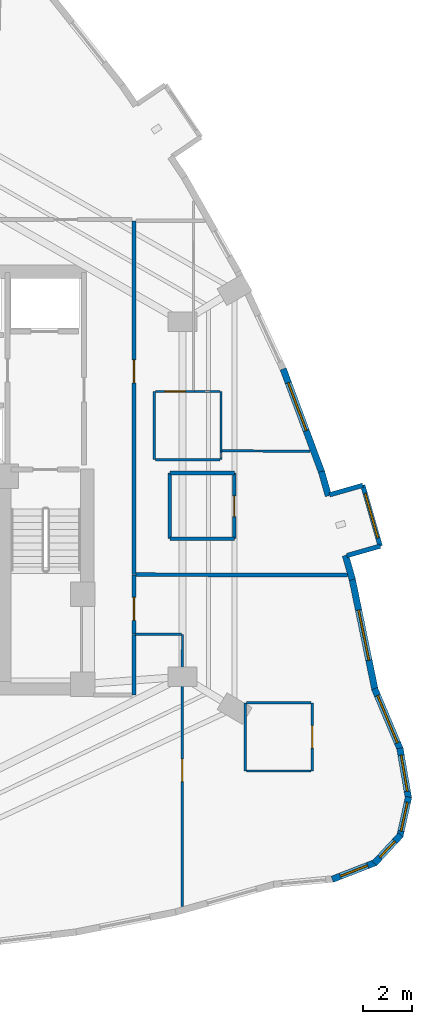
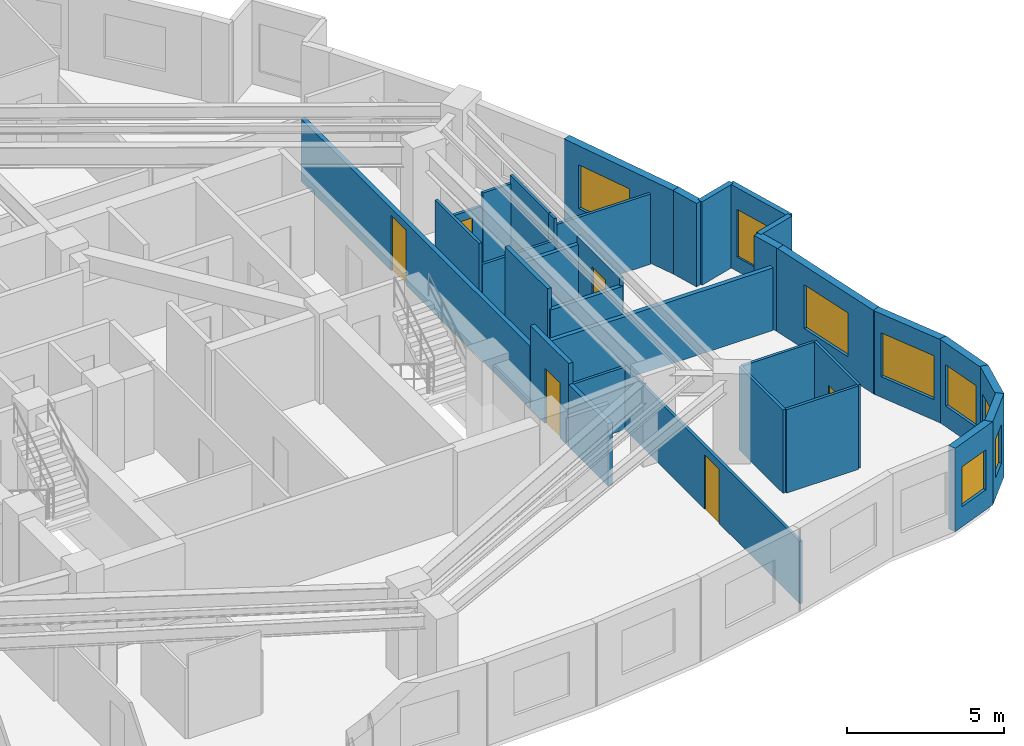
# One storey, part 7 of 10: 33 walls, 8 windows, 6 doors, 14 openings.
"""IFC4 building model written with IfcOpenShell, lengths in metres."""

import ifcopenshell
import ifcopenshell.guid

model = None  # the IFC model being written
_history = None  # IfcOwnerHistory: only IFC2X3 demands one
_inside = {}  # id of a spatial element -> (the spatial element, [elements in it])
_under = {}  # id of a project, library or spatial element -> (it, [spatial elements below it])
_declared = {}  # id of a project -> (the project, [libraries it declares])
_typed = {}  # id of a type object -> (the type object, [elements of that type])
_made_of = {}  # id of a material, layer set ... -> (it, [elements and type objects made of it])


def new_model(schema):
    """Start an empty IFC model of exactly this schema.

    Asked for "IFC4X3", IfcOpenShell would pick the latest addendum, in which some entities
    have other attributes; the version numbers below select the first issue.
    IFC2X3 requires an IfcOwnerHistory on every rooted entity: one is made here for all.
    """
    global model, _history
    if schema == "IFC4X3":
        model = ifcopenshell.file(schema_version=(4, 3, 0, 0))
    else:
        model = ifcopenshell.file(schema=schema)
    _inside.clear()
    _under.clear()
    _declared.clear()
    _typed.clear()
    _made_of.clear()
    _history = None
    if model.schema == "IFC2X3":
        org = make("IfcOrganization", Name="unknown")
        user = make(
            "IfcPersonAndOrganization",
            ThePerson=make("IfcPerson", FamilyName="unknown"),
            TheOrganization=org,
        )
        app = make(
            "IfcApplication",
            ApplicationDeveloper=org,
            Version="unknown",
            ApplicationFullName="unknown",
            ApplicationIdentifier="unknown",
        )
        _history = make(
            "IfcOwnerHistory",
            OwningUser=user,
            OwningApplication=app,
            ChangeAction="ADDED",
            CreationDate=0,
        )
    return model


def make(cls, **values):
    """One entity of the class cls with the attributes given. An attribute that is None is left unset."""
    return model.create_entity(
        cls, **{name: value for name, value in values.items() if value is not None}
    )


def rooted(cls, **values):
    """An entity with a GlobalId (a new one), such as an element, a storey or a relation."""
    return make(cls, GlobalId=ifcopenshell.guid.new(), OwnerHistory=_history, **values)


def si_unit(unit_type, name, prefix=None):
    """IfcSIUnit, for example si_unit("LENGTHUNIT", "METRE", prefix="MILLI")."""
    return make("IfcSIUnit", UnitType=unit_type, Prefix=prefix, Name=name)


def assignment(units):
    """IfcUnitAssignment: the units of a project."""
    return None if units is None else make("IfcUnitAssignment", Units=units)


def point(xyz):
    """IfcCartesianPoint."""
    return None if xyz is None else make("IfcCartesianPoint", Coordinates=xyz)


def direction(xyz):
    """IfcDirection."""
    return None if xyz is None else make("IfcDirection", DirectionRatios=xyz)


def frame(location, z_axis=None, x_axis=None):
    """IfcAxis2Placement3D, a coordinate frame: its origin and axes. An axis left out is left unset."""
    return make(
        "IfcAxis2Placement3D",
        Location=point(location),
        Axis=direction(z_axis),
        RefDirection=direction(x_axis),
    )


def frame_2d(location, x_axis=None):
    """IfcAxis2Placement2D, a coordinate frame in the plane: its origin and x axis."""
    return make(
        "IfcAxis2Placement2D", Location=point(location), RefDirection=direction(x_axis)
    )


def origin():
    """The frame at (0, 0, 0) with its axes left unset."""
    return frame((0.0, 0.0, 0.0))


def place(relative_to, where):
    """IfcLocalPlacement: puts the frame where relative to a parent placement (None: the world)."""
    return make(
        "IfcLocalPlacement", PlacementRelTo=relative_to, RelativePlacement=where
    )


def context(
    kind, dimensions, precision=None, world=None, true_north=None, identifier=None
):
    """IfcGeometricRepresentationContext, for example the 3D "Model" context."""
    return make(
        "IfcGeometricRepresentationContext",
        ContextIdentifier=identifier,
        ContextType=kind,
        CoordinateSpaceDimension=dimensions,
        Precision=precision,
        WorldCoordinateSystem=world,
        TrueNorth=true_north,
    )


def subcontext(parent, identifier, kind, view, scale=None):
    """IfcGeometricRepresentationSubContext, for example "Body" below "Model"."""
    return make(
        "IfcGeometricRepresentationSubContext",
        ContextIdentifier=identifier,
        ContextType=kind,
        ParentContext=parent,
        TargetScale=scale,
        TargetView=view,
    )


def project(units=None, contexts=None):
    """IfcProject with its units and contexts."""
    return rooted(
        "IfcProject",
        Name="project",
        RepresentationContexts=contexts,
        UnitsInContext=assignment(units),
    )


def spatial(cls, under=None, at=None, **own):
    """A site, building, storey or space (cls), placed at a placement, below another one or the project."""
    s = rooted(cls, ObjectPlacement=at, **own)
    if under is not None:
        _under.setdefault(under.id(), (under, []))[1].append(s)
    return s


def profile(cls, at=None, kind="AREA", **sizes):
    """A parametric profile (cls). Its sizes go by their IFC names, for example OverallWidth=200.0."""
    return make(cls, ProfileType=kind, Position=at, **sizes)


def rectangle(**sizes):
    """IfcRectangleProfileDef."""
    return profile("IfcRectangleProfileDef", **sizes)


def extrude(swept, where, along, depth):
    """IfcExtrudedAreaSolid: the profile swept, set in the frame where, extruded along a direction by depth."""
    return make(
        "IfcExtrudedAreaSolid",
        SweptArea=swept,
        Position=where,
        ExtrudedDirection=direction(along),
        Depth=depth,
    )


def shape(context_of_items, identifier, shape_type, items):
    """IfcShapeRepresentation: the items that make up one representation, for example the "Body"."""
    return make(
        "IfcShapeRepresentation",
        ContextOfItems=context_of_items,
        RepresentationIdentifier=identifier,
        RepresentationType=shape_type,
        Items=items,
    )


def material(Name=None, Category=None):
    """IfcMaterial."""
    return make("IfcMaterial", Name=Name, Category=Category)


def layer(
    of_material, thickness, ventilated=None, Name=None, Category=None, Priority=None
):
    """IfcMaterialLayer: one layer of a wall or slab, of a material (None: an air gap)."""
    return make(
        "IfcMaterialLayer",
        Material=of_material,
        LayerThickness=thickness,
        IsVentilated=ventilated,
        Name=Name,
        Category=Category,
        Priority=Priority,
    )


def layer_set(layers, Name=None):
    """IfcMaterialLayerSet."""
    return make("IfcMaterialLayerSet", MaterialLayers=layers, LayerSetName=Name)


def made_of(thing, what):
    """Note that an element or type object is made of a material, layer set ...; save() writes the relation."""
    if what is not None:
        _made_of.setdefault(what.id(), (what, []))[1].append(thing)
    return thing


def type_object(cls, material=None, **own):
    """A type object (cls), such as IfcWallType, which elements share."""
    return made_of(rooted(cls, **own), material)


def element(
    cls,
    number,
    at=None,
    inside=None,
    cuts=None,
    type_object=None,
    material=None,
    context=None,
    identifier="Body",
    shape_type=None,
    held_by="IfcProductDefinitionShape",
    body=None,
    shapes=None,
    **own,
):
    """One element of the class cls, such as IfcWall. Its Tag is "e" and its number.

    at: its placement. inside: the storey or other place that contains it. cuts: it is an
    opening in that element (IfcRelVoidsElement). A single representation is given by context,
    identifier, shape_type and body (its items); several are given by shapes. held_by: the class
    of the entity that holds the representations. save() writes the other relations.
    """
    e = rooted(cls, Tag="e%d" % number, ObjectPlacement=at, **own)
    if body is not None:
        shapes = [shape(context, identifier, shape_type, body)]
    if shapes is not None:
        e.Representation = make(held_by, Representations=shapes)
    if inside is not None:
        _inside.setdefault(inside.id(), (inside, []))[1].append(e)
    if cuts is not None:
        rooted(
            "IfcRelVoidsElement", RelatingBuildingElement=cuts, RelatedOpeningElement=e
        )
    if type_object is not None:
        _typed.setdefault(type_object.id(), (type_object, []))[1].append(e)
    return made_of(e, material)


def fill(opening, filler):
    """IfcRelFillsElement: the door or window that sits in an opening."""
    return rooted(
        "IfcRelFillsElement",
        RelatingOpeningElement=opening,
        RelatedBuildingElement=filler,
    )


def aggregate(whole, parts):
    """IfcRelAggregates: a whole, such as a stair, and the parts it consists of."""
    return rooted("IfcRelAggregates", RelatingObject=whole, RelatedObjects=parts)


def save(model, path):
    """Write the relations noted so far, then the file.

    IfcRelAggregates (storeys below a building ...), IfcRelContainedInSpatialStructure (elements
    in a storey), IfcRelDefinesByType, IfcRelAssociatesMaterial and IfcRelDeclares: one each for
    every whole, place, type object, material and project.
    """
    for whole, parts in _under.values():
        aggregate(whole, parts)
    for where, things in _inside.values():
        rooted(
            "IfcRelContainedInSpatialStructure",
            RelatedElements=things,
            RelatingStructure=where,
        )
    for kind, things in _typed.values():
        rooted("IfcRelDefinesByType", RelatedObjects=things, RelatingType=kind)
    for what, things in _made_of.values():
        rooted("IfcRelAssociatesMaterial", RelatedObjects=things, RelatingMaterial=what)
    for by, libraries in _declared.values():
        rooted("IfcRelDeclares", RelatingContext=by, RelatedDefinitions=libraries)
    model.write(path)


model = new_model("IFC4")

# Units and contexts
model_context = context("Model", 3, precision=1e-05, world=origin(), true_north=direction((0.0, 1.0)))
body_context = subcontext(model_context, "Body", "Model", "MODEL_VIEW")
ifc_project = project(units=[si_unit("LENGTHUNIT", "METRE"), si_unit("AREAUNIT", "SQUARE_METRE"), si_unit("VOLUMEUNIT", "CUBIC_METRE"), si_unit("PLANEANGLEUNIT", "RADIAN"), si_unit("MASSUNIT", "GRAM", prefix="KILO")], contexts=[model_context])

# Site, building, storey
site_placement = place(None, origin())
site = spatial("IfcSite", under=ifc_project, at=site_placement, CompositionType="ELEMENT")
building_placement = place(site_placement, origin())
building = spatial("IfcBuilding", under=site, at=building_placement, Name="Miruveldt Soraemaru", CompositionType="ELEMENT")
storey_placement = place(building_placement, frame((0.0, 0.0, 121.39990234375)))
storey = spatial("IfcBuildingStorey", under=building, at=storey_placement, Name="L33", CompositionType="ELEMENT", Elevation=121.39990234375)

# Walls
ifc_material_1 = material(Name="White powder-coated aluminium EN AW-6060 T6", Category="aluminium")
ifc_layer_1 = layer(ifc_material_1, 0.18994140625, Name="White powder-coated aluminium EN AW-6060 T6", Category="aluminium")
ifc_layer_set_1 = layer_set([ifc_layer_1], Name="White powder-coated aluminium EN AW-6060 T6")
wall_type_1 = type_object("IfcWallType", Name="WALL-BAY-ALU190", PredefinedType="SOLIDWALL", material=ifc_layer_set_1)
for number, where, z_axis, x_axis, name in (
    (1, (63.357421875, 40.7822265625, 0.0), (0.0, 0.0, 1.0), (0.961394527133, 0.275173696414, 0.0), "L33 Bay Window Side Cheek 3L"),
    (2, (64.01220703125, 43.673828125, 0.0), (0.0, 0.0, 1.0), (-0.961439844578, -0.275015318223, 0.0), "L33 Bay Window Side Cheek 3R"),
):
    element("IfcWall", number, at=place(storey_placement, frame(where, z_axis=z_axis, x_axis=x_axis)), inside=storey, type_object=wall_type_1, Name=name, PredefinedType="SOLIDWALL", context=body_context, shape_type="SweptSolid", body=[
        extrude(rectangle(XDim=1.4248046875, YDim=0.18994140625, at=frame_2d((0.71240234375, 0.0))), origin(), (0.0, 0.0, 1.0), 3.235107421875),
    ])

# Wall, opening, window
wall_1_placement = place(storey_placement, frame((64.727294921875, 41.17431640625, 0.0), z_axis=(0.0, 0.0, 1.0), x_axis=(-0.275055990048, 0.961428209665, 0.0)))
wall_1 = element("IfcWall", 3, at=wall_1_placement, inside=storey, type_object=wall_type_1, Name="L33 Bay Window Front Frame 3", PredefinedType="SOLIDWALL", context=body_context, shape_type="SweptSolid", body=[
    extrude(rectangle(XDim=2.599853515625, YDim=0.18994140625, at=frame_2d((1.2998046875, 0.0))), origin(), (0.0, 0.0, 1.0), 3.235107421875),
])
opening_1_placement = place(wall_1_placement, frame((0.35009765625, 0.0, 0.550048828125)))
opening_1 = element("IfcOpeningElement", 4, at=opening_1_placement, cuts=wall_1, Name="Opening WN-6", PredefinedType="OPENING", context=body_context, shape_type="SweptSolid", body=[
    extrude(rectangle(XDim=1.89990234375, YDim=1.85009765625, at=frame_2d((0.949951171875, 0.925048828125))), frame((0.0, 0.10498046875, 0.0), z_axis=(0.0, -1.0, 0.0), x_axis=(1.0, 0.0, 0.0)), (0.0, 0.0, 1.0), 0.2099609375),
])
ifc_material_2 = material(Name="Triple low-e insulated glazing", Category="glass")
window_type_1 = type_object("IfcWindowType", Name="WIN-BAYW-1900x1850", PartitioningType="SINGLE_PANEL", PredefinedType="WINDOW", material=ifc_material_2)
window_1_placement = place(opening_1_placement, origin())
window_1 = element("IfcWindow", 5, at=window_1_placement, inside=storey, type_object=window_type_1, Name="L33 Projecting Bay Window 3", OverallHeight=1.85009765625, OverallWidth=1.89990234375, PartitioningType="SINGLE_PANEL", PredefinedType="WINDOW", context=body_context, shape_type="SweptSolid", body=[
    extrude(rectangle(XDim=1.89990234375, YDim=1.85009765625, at=frame_2d((0.949951171875, 0.925048828125))), frame((0.0, 0.030029296875, 0.0), z_axis=(0.0, -1.0, 0.0), x_axis=(1.0, 0.0, 0.0)), (0.0, 0.0, 1.0), 0.06005859375),
])
fill(opening_1, window_1)

ifc_material_3 = material(Name="Precast concrete C45/55 (45 MPa)", Category="concrete")
ifc_layer_2 = layer(ifc_material_3, 0.27001953125, Name="Precast concrete C45/55 (45 MPa)", Category="concrete")
ifc_layer_set_2 = layer_set([ifc_layer_2], Name="Precast concrete C45/55 (45 MPa)")
wall_type_2 = type_object("IfcWallType", Name="WALL-EXT-PC270", PredefinedType="SOLIDWALL", material=ifc_layer_set_2)
wall_2_placement = place(storey_placement, frame((62.754150390625, 27.4765625, 0.0), z_axis=(0.0, 0.0, 1.0), x_axis=(0.932274534564, 0.361751561438, 0.0)))
wall_2 = element("IfcWall", 6, at=wall_2_placement, inside=storey, type_object=wall_type_2, Name="L33 Precast Concrete Facade Wall 30", PredefinedType="SOLIDWALL", context=body_context, shape_type="SweptSolid", body=[
    extrude(rectangle(XDim=1.916748046875, YDim=0.27001953125, at=frame_2d((0.95849609375, 0.0))), origin(), (0.0, 0.0, 1.0), 3.235107421875),
])
opening_2_placement = place(wall_2_placement, frame((0.35888671875, 0.0, 0.780029296875)))
opening_2 = element("IfcOpeningElement", 7, at=opening_2_placement, cuts=wall_2, Name="Opening WN-4", PredefinedType="OPENING", context=body_context, shape_type="SweptSolid", body=[
    extrude(rectangle(XDim=1.199951171875, YDim=1.550048828125, at=frame_2d((0.60009765625, 0.77490234375))), frame((0.0, 0.14501953125, 0.0), z_axis=(0.0, -1.0, 0.0), x_axis=(1.0, 0.0, 0.0)), (0.0, 0.0, 1.0), 0.2900390625),
])
window_type_2 = type_object("IfcWindowType", Name="WIN-PUNCH-1200x1550", PartitioningType="SINGLE_PANEL", PredefinedType="WINDOW", material=ifc_material_2)
window_2_placement = place(opening_2_placement, origin())
window_2 = element("IfcWindow", 8, at=window_2_placement, inside=storey, type_object=window_type_2, Name="L33 Punched Triple-Glazed Window 30.1", OverallHeight=1.550048828125, OverallWidth=1.199951171875, PartitioningType="SINGLE_PANEL", PredefinedType="WINDOW", context=body_context, shape_type="SweptSolid", body=[
    extrude(rectangle(XDim=1.199951171875, YDim=1.550048828125, at=frame_2d((0.60009765625, 0.77490234375))), frame((0.0, 0.030029296875, 0.0), z_axis=(0.0, -1.0, 0.0), x_axis=(1.0, 0.0, 0.0)), (0.0, 0.0, 1.0), 0.06005859375),
])
fill(opening_2, window_2)

wall_3_placement = place(storey_placement, frame((64.484619140625, 28.131591796875, 0.0), z_axis=(0.0, 0.0, 1.0), x_axis=(0.680103285959, 0.733116307572, 0.0)))
wall_3 = element("IfcWall", 9, at=wall_3_placement, inside=storey, type_object=wall_type_2, Name="L33 Precast Concrete Facade Wall 31", PredefinedType="SOLIDWALL", context=body_context, shape_type="SweptSolid", body=[
    extrude(rectangle(XDim=1.5888671875, YDim=0.27001953125, at=frame_2d((0.79443359375, 0.0))), origin(), (0.0, 0.0, 1.0), 3.235107421875),
])
opening_3_placement = place(wall_3_placement, frame((0.343994140625, 0.0, 0.780029296875)))
opening_3 = element("IfcOpeningElement", 10, at=opening_3_placement, cuts=wall_3, Name="Opening WN-7", PredefinedType="OPENING", context=body_context, shape_type="SweptSolid", body=[
    extrude(rectangle(XDim=0.89990234375, YDim=1.5, at=frame_2d((0.449951171875, 0.75))), frame((0.0, 0.14501953125, 0.0), z_axis=(0.0, -1.0, 0.0), x_axis=(1.0, 0.0, 0.0)), (0.0, 0.0, 1.0), 0.2900390625),
])
window_type_3 = type_object("IfcWindowType", Name="WIN-PUNCH-900x1500", PartitioningType="SINGLE_PANEL", PredefinedType="WINDOW", material=ifc_material_2)
window_3_placement = place(opening_3_placement, origin())
window_3 = element("IfcWindow", 11, at=window_3_placement, inside=storey, type_object=window_type_3, Name="L33 Punched Triple-Glazed Window 31.1", OverallHeight=1.5, OverallWidth=0.89990234375, PartitioningType="SINGLE_PANEL", PredefinedType="WINDOW", context=body_context, shape_type="SweptSolid", body=[
    extrude(rectangle(XDim=0.89990234375, YDim=1.5, at=frame_2d((0.449951171875, 0.75))), frame((0.0, 0.030029296875, 0.0), z_axis=(0.0, -1.0, 0.0), x_axis=(1.0, 0.0, 0.0)), (0.0, 0.0, 1.0), 0.06005859375),
])
fill(opening_3, window_3)

wall_4_placement = place(storey_placement, frame((65.533935546875, 29.236328125, 0.0), z_axis=(0.0, 0.0, 1.0), x_axis=(0.215658248495, 0.976468903681, 0.0)))
wall_4 = element("IfcWall", 12, at=wall_4_placement, inside=storey, type_object=wall_type_2, Name="L33 Precast Concrete Facade Wall 32", PredefinedType="SOLIDWALL", context=body_context, shape_type="SweptSolid", body=[
    extrude(rectangle(XDim=1.66650390625, YDim=0.27001953125, at=frame_2d((0.833251953125, 0.0))), origin(), (0.0, 0.0, 1.0), 3.235107421875),
])
opening_4_placement = place(wall_4_placement, frame((0.23291015625, 0.0, 0.780029296875)))
opening_4 = element("IfcOpeningElement", 13, at=opening_4_placement, cuts=wall_4, Name="Opening WN-4", PredefinedType="OPENING", context=body_context, shape_type="SweptSolid", body=[
    extrude(rectangle(XDim=1.199951171875, YDim=1.550048828125, at=frame_2d((0.60009765625, 0.77490234375))), frame((0.0, 0.14501953125, 0.0), z_axis=(0.0, -1.0, 0.0), x_axis=(1.0, 0.0, 0.0)), (0.0, 0.0, 1.0), 0.2900390625),
])
window_4_placement = place(opening_4_placement, origin())
window_4 = element("IfcWindow", 14, at=window_4_placement, inside=storey, type_object=window_type_2, Name="L33 Punched Triple-Glazed Window 32.1", OverallHeight=1.550048828125, OverallWidth=1.199951171875, PartitioningType="SINGLE_PANEL", PredefinedType="WINDOW", context=body_context, shape_type="SweptSolid", body=[
    extrude(rectangle(XDim=1.199951171875, YDim=1.550048828125, at=frame_2d((0.60009765625, 0.77490234375))), frame((0.0, 0.030029296875, 0.0), z_axis=(0.0, -1.0, 0.0), x_axis=(1.0, 0.0, 0.0)), (0.0, 0.0, 1.0), 0.06005859375),
])
fill(opening_4, window_4)

wall_5_placement = place(storey_placement, frame((65.8916015625, 30.794921875, 0.0), z_axis=(0.0, 0.0, 1.0), x_axis=(-0.169234430957, 0.985575825281, 0.0)))
wall_5 = element("IfcWall", 15, at=wall_5_placement, inside=storey, type_object=wall_type_2, Name="L33 Precast Concrete Facade Wall 33", PredefinedType="SOLIDWALL", context=body_context, shape_type="SweptSolid", body=[
    extrude(rectangle(XDim=2.103271484375, YDim=0.27001953125, at=frame_2d((1.0517578125, 0.0))), origin(), (0.0, 0.0, 1.0), 3.235107421875),
])
opening_5_placement = place(wall_5_placement, frame((0.302001953125, 0.0, 0.800048828125)))
opening_5 = element("IfcOpeningElement", 16, at=opening_5_placement, cuts=wall_5, Name="Opening WN-3", PredefinedType="OPENING", context=body_context, shape_type="SweptSolid", body=[
    extrude(rectangle(XDim=1.5, YDim=1.60009765625, at=frame_2d((0.75, 0.800048828125))), frame((0.0, 0.14501953125, 0.0), z_axis=(0.0, -1.0, 0.0), x_axis=(1.0, 0.0, 0.0)), (0.0, 0.0, 1.0), 0.2900390625),
])
window_type_4 = type_object("IfcWindowType", Name="WIN-PUNCH-1500x1600", PartitioningType="SINGLE_PANEL", PredefinedType="WINDOW", material=ifc_material_2)
window_5_placement = place(opening_5_placement, origin())
window_5 = element("IfcWindow", 17, at=window_5_placement, inside=storey, type_object=window_type_4, Name="L33 Punched Triple-Glazed Window 33.1", OverallHeight=1.60009765625, OverallWidth=1.5, PartitioningType="SINGLE_PANEL", PredefinedType="WINDOW", context=body_context, shape_type="SweptSolid", body=[
    extrude(rectangle(XDim=1.5, YDim=1.60009765625, at=frame_2d((0.75, 0.800048828125))), frame((0.0, 0.030029296875, 0.0), z_axis=(0.0, -1.0, 0.0), x_axis=(1.0, 0.0, 0.0)), (0.0, 0.0, 1.0), 0.06005859375),
])
fill(opening_5, window_5)

wall_6_placement = place(storey_placement, frame((65.55517578125, 32.801025390625, 0.0), z_axis=(0.0, 0.0, 1.0), x_axis=(-0.388620980752, 0.921397706378, 0.0)))
wall_6 = element("IfcWall", 18, at=wall_6_placement, inside=storey, type_object=wall_type_2, Name="L33 Precast Concrete Facade Wall 34", PredefinedType="SOLIDWALL", context=body_context, shape_type="SweptSolid", body=[
    extrude(rectangle(XDim=2.728271484375, YDim=0.27001953125, at=frame_2d((1.3642578125, 0.0))), origin(), (0.0, 0.0, 1.0), 3.235107421875),
])
opening_6_placement = place(wall_6_placement, frame((0.31396484375, 0.0, 0.800048828125)))
opening_6 = element("IfcOpeningElement", 19, at=opening_6_placement, cuts=wall_6, Name="Opening WN-1", PredefinedType="OPENING", context=body_context, shape_type="SweptSolid", body=[
    extrude(rectangle(XDim=2.10009765625, YDim=1.699951171875, at=frame_2d((1.050048828125, 0.85009765625))), frame((0.0, 0.14501953125, 0.0), z_axis=(0.0, -1.0, 0.0), x_axis=(1.0, 0.0, 0.0)), (0.0, 0.0, 1.0), 0.2900390625),
])
window_type_5 = type_object("IfcWindowType", Name="WIN-PUNCH-2100x1700", PartitioningType="SINGLE_PANEL", PredefinedType="WINDOW", material=ifc_material_2)
window_6_placement = place(opening_6_placement, origin())
window_6 = element("IfcWindow", 20, at=window_6_placement, inside=storey, type_object=window_type_5, Name="L33 Punched Triple-Glazed Window 34.1", OverallHeight=1.699951171875, OverallWidth=2.10009765625, PartitioningType="SINGLE_PANEL", PredefinedType="WINDOW", context=body_context, shape_type="SweptSolid", body=[
    extrude(rectangle(XDim=2.10009765625, YDim=1.699951171875, at=frame_2d((1.050048828125, 0.85009765625))), frame((0.0, 0.030029296875, 0.0), z_axis=(0.0, -1.0, 0.0), x_axis=(1.0, 0.0, 0.0)), (0.0, 0.0, 1.0), 0.06005859375),
])
fill(opening_6, window_6)

wall_7_placement = place(storey_placement, frame((64.515380859375, 35.248291015625, 0.0), z_axis=(0.0, 0.0, 1.0), x_axis=(-0.201556379957, 0.979476914327, 0.0)))
wall_7 = element("IfcWall", 21, at=wall_7_placement, inside=storey, type_object=wall_type_2, Name="L33 Precast Concrete Facade Wall 35", PredefinedType="SOLIDWALL", context=body_context, shape_type="SweptSolid", body=[
    extrude(rectangle(XDim=4.70947265625, YDim=0.27001953125, at=frame_2d((2.354736328125, 0.0))), origin(), (0.0, 0.0, 1.0), 3.235107421875),
])
opening_7_placement = place(wall_7_placement, frame((1.262939453125, 0.0, 0.800048828125)))
opening_7 = element("IfcOpeningElement", 22, at=opening_7_placement, cuts=wall_7, Name="Opening WN-1", PredefinedType="OPENING", context=body_context, shape_type="SweptSolid", body=[
    extrude(rectangle(XDim=2.10009765625, YDim=1.699951171875, at=frame_2d((1.050048828125, 0.85009765625))), frame((0.0, 0.14501953125, 0.0), z_axis=(0.0, -1.0, 0.0), x_axis=(1.0, 0.0, 0.0)), (0.0, 0.0, 1.0), 0.2900390625),
])
window_7_placement = place(opening_7_placement, origin())
window_7 = element("IfcWindow", 23, at=window_7_placement, inside=storey, type_object=window_type_5, Name="L33 Punched Triple-Glazed Window 35.1", OverallHeight=1.699951171875, OverallWidth=2.10009765625, PartitioningType="SINGLE_PANEL", PredefinedType="WINDOW", context=body_context, shape_type="SweptSolid", body=[
    extrude(rectangle(XDim=2.10009765625, YDim=1.699951171875, at=frame_2d((1.050048828125, 0.85009765625))), frame((0.0, 0.030029296875, 0.0), z_axis=(0.0, -1.0, 0.0), x_axis=(1.0, 0.0, 0.0)), (0.0, 0.0, 1.0), 0.06005859375),
])
fill(opening_7, window_7)

# Walls
wall_8_placement = place(storey_placement, frame((63.5830078125, 39.793212890625, 0.0), z_axis=(0.0, 0.0, 1.0), x_axis=(-0.275061210483, 0.96142671613, 0.0)))
element("IfcWall", 24, at=wall_8_placement, inside=storey, type_object=wall_type_2, Name="L33 Precast Pier Wall 36A", PredefinedType="SOLIDWALL", context=body_context, shape_type="SweptSolid", body=[
    extrude(rectangle(XDim=1.04296875, YDim=0.27001953125, at=frame_2d((0.521484375, 0.0))), origin(), (0.0, 0.0, 1.0), 3.235107421875),
])
wall_9_placement = place(storey_placement, frame((62.59765625, 43.238037109375, 0.0), z_axis=(0.0, 0.0, 1.0), x_axis=(-0.274999317233, 0.961444421442, 0.0)))
element("IfcWall", 25, at=wall_9_placement, inside=storey, type_object=wall_type_2, Name="L33 Precast Pier Wall 36B", PredefinedType="SOLIDWALL", context=body_context, shape_type="SweptSolid", body=[
    extrude(rectangle(XDim=1.043212890625, YDim=0.27001953125, at=frame_2d((0.521484375, 0.0))), origin(), (0.0, 0.0, 1.0), 3.235107421875),
])

# Wall, opening, window
wall_10_placement = place(storey_placement, frame((62.332763671875, 44.174560546875, 0.0), z_axis=(0.0, 0.0, 1.0), x_axis=(-0.349038189094, 0.937108500951, 0.0)))
wall_10 = element("IfcWall", 26, at=wall_10_placement, inside=storey, type_object=wall_type_2, Name="L33 Precast Concrete Facade Wall 37", PredefinedType="SOLIDWALL", context=body_context, shape_type="SweptSolid", body=[
    extrude(rectangle(XDim=4.569580078125, YDim=0.27001953125, at=frame_2d((2.28466796875, 0.0))), origin(), (0.0, 0.0, 1.0), 3.235107421875),
])
opening_8_placement = place(wall_10_placement, frame((1.860107421875, 0.0, 0.800048828125)))
opening_8 = element("IfcOpeningElement", 27, at=opening_8_placement, cuts=wall_10, Name="Opening WN-1", PredefinedType="OPENING", context=body_context, shape_type="SweptSolid", body=[
    extrude(rectangle(XDim=2.10009765625, YDim=1.699951171875, at=frame_2d((1.050048828125, 0.85009765625))), frame((0.0, 0.14501953125, 0.0), z_axis=(0.0, -1.0, 0.0), x_axis=(1.0, 0.0, 0.0)), (0.0, 0.0, 1.0), 0.2900390625),
])
window_8_placement = place(opening_8_placement, origin())
window_8 = element("IfcWindow", 28, at=window_8_placement, inside=storey, type_object=window_type_5, Name="L33 Punched Triple-Glazed Window 37.1", OverallHeight=1.699951171875, OverallWidth=2.10009765625, PartitioningType="SINGLE_PANEL", PredefinedType="WINDOW", context=body_context, shape_type="SweptSolid", body=[
    extrude(rectangle(XDim=2.10009765625, YDim=1.699951171875, at=frame_2d((1.050048828125, 0.85009765625))), frame((0.0, 0.030029296875, 0.0), z_axis=(0.0, -1.0, 0.0), x_axis=(1.0, 0.0, 0.0)), (0.0, 0.0, 1.0), 0.06005859375),
])
fill(opening_8, window_8)

# Wall, opening, door
ifc_material_4 = material(Name="Gypsum plasterboard lining", Category="gypsum")
ifc_layer_3 = layer(ifc_material_4, 0.10009765625, Name="Gypsum plasterboard lining", Category="gypsum")
ifc_layer_set_3 = layer_set([ifc_layer_3], Name="Gypsum plasterboard lining")
wall_type_3 = type_object("IfcWallType", Name="WALL-INT-P100", PredefinedType="PARTITIONING", material=ifc_layer_set_3)
wall_11_placement = place(storey_placement, frame((56.597900390625, 37.550048828125, 0.0), z_axis=(0.0, 0.0, 1.0), x_axis=(-0.001679789947, -0.999998589152, 0.0)))
wall_11 = element("IfcWall", 29, at=wall_11_placement, inside=storey, type_object=wall_type_3, Name="L33 Partition Wall 57", PredefinedType="PARTITIONING", context=body_context, shape_type="SweptSolid", body=[
    extrude(rectangle(XDim=11.191162109375, YDim=0.10009765625, at=frame_2d((5.595703125, 0.0))), origin(), (0.0, 0.0, 1.0), 2.423095703125),
])
opening_9_placement = place(wall_11_placement, frame((5.135986328125, 0.0, 0.0)))
opening_9 = element("IfcOpeningElement", 30, at=opening_9_placement, cuts=wall_11, Name="Opening D3A", PredefinedType="OPENING", context=body_context, shape_type="SweptSolid", body=[
    extrude(rectangle(XDim=0.919921875, YDim=2.10009765625, at=frame_2d((0.4599609375, 1.050048828125))), frame((0.0, 0.06005859375, 0.0), z_axis=(0.0, -1.0, 0.0), x_axis=(1.0, 0.0, 0.0)), (0.0, 0.0, 1.0), 0.1201171875),
])
ifc_material_5 = material(Name="Anodised aluminium EN AW-6063 T6", Category="aluminium")
door_type_1 = type_object("IfcDoorType", Name="DOOR-INT-920", OperationType="NOTDEFINED", PredefinedType="DOOR", material=ifc_material_5)
door_1_placement = place(opening_9_placement, origin())
door_1 = element("IfcDoor", 31, at=door_1_placement, inside=storey, type_object=door_type_1, Name="L33 Unit 3307 BD4 Door", OperationType="SINGLE_SWING_RIGHT", OverallHeight=2.10009765625, OverallWidth=0.919921875, PredefinedType="DOOR", context=body_context, shape_type="SweptSolid", body=[
    extrude(rectangle(XDim=0.919921875, YDim=2.10009765625, at=frame_2d((0.4599609375, 1.050048828125))), frame((0.0, 0.02490234375, 0.0), z_axis=(0.0, -1.0, 0.0), x_axis=(1.0, 0.0, 0.0)), (0.0, 0.0, 1.0), 0.050048828125),
])
fill(opening_9, door_1)

wall_12_placement = place(storey_placement, frame((61.929931640625, 31.928955078125, 0.0), z_axis=(0.0, 0.0, 1.0), x_axis=(0.0, 1.0, 0.0)))
wall_12 = element("IfcWall", 32, at=wall_12_placement, inside=storey, type_object=wall_type_3, Name="L33 Partition Wall 52", PredefinedType="PARTITIONING", context=body_context, shape_type="SweptSolid", body=[
    extrude(rectangle(XDim=2.800048828125, YDim=0.10009765625, at=frame_2d((1.39990234375, 0.0))), origin(), (0.0, 0.0, 1.0), 3.235107421875),
])
opening_10_placement = place(wall_12_placement, frame((0.93994140625, 0.0, 0.0)))
opening_10 = element("IfcOpeningElement", 33, at=opening_10_placement, cuts=wall_12, Name="Opening D3A", PredefinedType="OPENING", context=body_context, shape_type="SweptSolid", body=[
    extrude(rectangle(XDim=0.919921875, YDim=2.10009765625, at=frame_2d((0.4599609375, 1.050048828125))), frame((0.0, 0.06005859375, 0.0), z_axis=(0.0, -1.0, 0.0), x_axis=(1.0, 0.0, 0.0)), (0.0, 0.0, 1.0), 0.1201171875),
])
door_2_placement = place(opening_10_placement, origin())
door_2 = element("IfcDoor", 34, at=door_2_placement, inside=storey, type_object=door_type_1, Name="L33 Unit 3307 KIT Door", OperationType="SINGLE_SWING_LEFT", OverallHeight=2.10009765625, OverallWidth=0.919921875, PredefinedType="DOOR", context=body_context, shape_type="SweptSolid", body=[
    extrude(rectangle(XDim=0.919921875, YDim=2.10009765625, at=frame_2d((0.4599609375, 1.050048828125))), frame((0.0, 0.02490234375, 0.0), z_axis=(0.0, -1.0, 0.0), x_axis=(1.0, 0.0, 0.0)), (0.0, 0.0, 1.0), 0.050048828125),
])
fill(opening_10, door_2)

wall_13_placement = place(storey_placement, frame((57.090087890625, 47.530029296875, 0.0), z_axis=(0.0, 0.0, 1.0), x_axis=(-1.0, 0.0, 0.0)))
wall_13 = element("IfcWall", 35, at=wall_13_placement, inside=storey, type_object=wall_type_3, Name="L33 Partition Wall 44", PredefinedType="PARTITIONING", context=body_context, shape_type="SweptSolid", body=[
    extrude(rectangle(XDim=1.610107421875, YDim=0.10009765625, at=frame_2d((0.80517578125, 0.0))), origin(), (0.0, 0.0, 1.0), 2.423095703125),
])
opening_11_placement = place(wall_13_placement, frame((0.375, 0.0, 0.0)))
opening_11 = element("IfcOpeningElement", 36, at=opening_11_placement, cuts=wall_13, Name="Opening FD3", PredefinedType="OPENING", context=body_context, shape_type="SweptSolid", body=[
    extrude(rectangle(XDim=0.85009765625, YDim=2.10009765625, at=frame_2d((0.425048828125, 1.050048828125))), frame((0.0, 0.06005859375, 0.0), z_axis=(0.0, -1.0, 0.0), x_axis=(1.0, 0.0, 0.0)), (0.0, 0.0, 1.0), 0.1201171875),
])
door_type_2 = type_object("IfcDoorType", Name="DOOR-FD3-850", OperationType="NOTDEFINED", PredefinedType="DOOR", material=ifc_material_5)
door_3_placement = place(opening_11_placement, origin())
door_3 = element("IfcDoor", 37, at=door_3_placement, inside=storey, type_object=door_type_2, Name="L33 Unit 3306 KIT Door", OperationType="SINGLE_SWING_RIGHT", OverallHeight=2.10009765625, OverallWidth=0.85009765625, PredefinedType="DOOR", context=body_context, shape_type="SweptSolid", body=[
    extrude(rectangle(XDim=0.85009765625, YDim=2.10009765625, at=frame_2d((0.425048828125, 1.050048828125))), frame((0.0, 0.02490234375, 0.0), z_axis=(0.0, -1.0, 0.0), x_axis=(1.0, 0.0, 0.0)), (0.0, 0.0, 1.0), 0.050048828125),
])
fill(opening_11, door_3)

# Walls
wall_14_placement = place(storey_placement, frame((61.840087890625, 45.069091796875, 0.0), z_axis=(0.0, 0.0, 1.0), x_axis=(-0.999978039223, 0.00662729748, 0.0)))
element("IfcWall", 38, at=wall_14_placement, inside=storey, type_object=wall_type_3, Name="L33 Partition Wall 47", PredefinedType="PARTITIONING", context=body_context, shape_type="SweptSolid", body=[
    extrude(rectangle(XDim=3.610107421875, YDim=0.10009765625, at=frame_2d((1.80517578125, 0.0))), origin(), (0.0, 0.0, 1.0), 2.72314453125),
])
for number, where, z_axis, x_axis, name in (
    (39, (55.429931640625, 47.530029296875, 0.0), (0.0, 0.0, 1.0), (0.0, -1.0, 0.0), "L33 Partition Wall 45"),
    (40, (59.179931640625, 34.72900390625, 0.0), (0.0, 0.0, 1.0), (0.0, -1.0, 0.0), "L33 Partition Wall 54"),
):
    element("IfcWall", number, at=place(storey_placement, frame(where, z_axis=z_axis, x_axis=x_axis)), inside=storey, type_object=wall_type_3, Name=name, PredefinedType="PARTITIONING", context=body_context, shape_type="SweptSolid", body=[
        extrude(rectangle(XDim=2.800048828125, YDim=0.10009765625, at=frame_2d((1.39990234375, 0.0))), origin(), (0.0, 0.0, 1.0), 3.235107421875),
    ])
wall_15_placement = place(storey_placement, frame((55.47998046875, 44.72998046875, 0.0), z_axis=(0.0, 0.0, 1.0), x_axis=(1.0, 0.0, 0.0)))
element("IfcWall", 41, at=wall_15_placement, inside=storey, type_object=wall_type_3, Name="L33 Partition Wall 46", PredefinedType="PARTITIONING", context=body_context, shape_type="SweptSolid", body=[
    extrude(rectangle(XDim=2.64990234375, YDim=0.10009765625, at=frame_2d((1.324951171875, 0.0))), origin(), (0.0, 0.0, 1.0), 2.423095703125),
])
for number, where, z_axis, x_axis, name in (
    (42, (61.8798828125, 34.72900390625, 0.0), (0.0, 0.0, 1.0), (-1.0, 0.0, 0.0), "L33 Partition Wall 53"),
    (43, (59.22998046875, 31.928955078125, 0.0), (0.0, 0.0, 1.0), (1.0, 0.0, 0.0), "L33 Partition Wall 55"),
):
    element("IfcWall", number, at=place(storey_placement, frame(where, z_axis=z_axis, x_axis=x_axis)), inside=storey, type_object=wall_type_3, Name=name, PredefinedType="PARTITIONING", context=body_context, shape_type="SweptSolid", body=[
        extrude(rectangle(XDim=2.64990234375, YDim=0.10009765625, at=frame_2d((1.324951171875, 0.0))), origin(), (0.0, 0.0, 1.0), 3.235107421875),
    ])
wall_16_placement = place(storey_placement, frame((58.179931640625, 45.093017578125, 0.0), z_axis=(0.0, 0.0, 1.0), x_axis=(0.0, 1.0, 0.0)))
element("IfcWall", 44, at=wall_16_placement, inside=storey, type_object=wall_type_3, Name="L33 Partition Wall 50", PredefinedType="PARTITIONING", context=body_context, shape_type="SweptSolid", body=[
    extrude(rectangle(XDim=2.43701171875, YDim=0.10009765625, at=frame_2d((1.218505859375, 0.0))), origin(), (0.0, 0.0, 1.0), 3.235107421875),
])
wall_17_placement = place(storey_placement, frame((54.64990234375, 37.550048828125, 0.0), z_axis=(0.0, 0.0, 1.0), x_axis=(1.0, 0.0, 0.0)))
element("IfcWall", 45, at=wall_17_placement, inside=storey, type_object=wall_type_3, Name="L33 Partition Wall 56", PredefinedType="PARTITIONING", context=body_context, shape_type="SweptSolid", body=[
    extrude(rectangle(XDim=1.898193359375, YDim=0.10009765625, at=frame_2d((0.94921875, 0.0))), origin(), (0.0, 0.0, 1.0), 2.423095703125),
])
wall_18_placement = place(storey_placement, frame((58.1298828125, 47.530029296875, 0.0), z_axis=(0.0, 0.0, 1.0), x_axis=(-1.0, 0.0, 0.0)))
element("IfcWall", 46, at=wall_18_placement, inside=storey, type_object=wall_type_3, Name="L33 Partition Wall 51", PredefinedType="PARTITIONING", context=body_context, shape_type="SweptSolid", body=[
    extrude(rectangle(XDim=1.02978515625, YDim=0.10009765625, at=frame_2d((0.514892578125, 0.0))), origin(), (0.0, 0.0, 1.0), 2.923095703125),
])
wall_19_placement = place(storey_placement, frame((58.179931640625, 44.72998046875, 0.0), z_axis=(0.0, 0.0, 1.0), x_axis=(0.0, 1.0, 0.0)))
element("IfcWall", 47, at=wall_19_placement, inside=storey, type_object=wall_type_3, Name="L33 Partition Wall 43", PredefinedType="PARTITIONING", context=body_context, shape_type="SweptSolid", body=[
    extrude(rectangle(XDim=0.363037109375, YDim=0.10009765625, at=frame_2d((0.181640625, 0.0))), origin(), (0.0, 0.0, 1.0), 3.235107421875),
])

# Wall, opening, door
ifc_layer_4 = layer(ifc_material_4, 0.14990234375, Name="Gypsum plasterboard lining", Category="gypsum")
ifc_layer_set_4 = layer_set([ifc_layer_4], Name="Gypsum plasterboard lining")
wall_type_4 = type_object("IfcWallType", Name="WALL-INT-PLUMB", PredefinedType="PLUMBINGWALL", material=ifc_layer_set_4)
wall_20_placement = place(storey_placement, frame((58.72998046875, 41.47998046875, 0.0), z_axis=(0.0, 0.0, 1.0), x_axis=(0.0, 1.0, 0.0)))
wall_20 = element("IfcWall", 48, at=wall_20_placement, inside=storey, type_object=wall_type_4, Name="L33 Partition Wall 39", PredefinedType="PLUMBINGWALL", context=body_context, shape_type="SweptSolid", body=[
    extrude(rectangle(XDim=2.699951171875, YDim=0.14990234375, at=frame_2d((1.35009765625, 0.0))), origin(), (0.0, 0.0, 1.0), 2.72314453125),
])
opening_12_placement = place(wall_20_placement, frame((0.909912109375, 0.0, 0.0)))
opening_12 = element("IfcOpeningElement", 49, at=opening_12_placement, cuts=wall_20, Name="Opening FD3", PredefinedType="OPENING", context=body_context, shape_type="SweptSolid", body=[
    extrude(rectangle(XDim=0.85009765625, YDim=2.10009765625, at=frame_2d((0.425048828125, 1.050048828125))), frame((0.0, 0.0849609375, 0.0), z_axis=(0.0, -1.0, 0.0), x_axis=(1.0, 0.0, 0.0)), (0.0, 0.0, 1.0), 0.169921875),
])
door_4_placement = place(opening_12_placement, origin())
door_4 = element("IfcDoor", 50, at=door_4_placement, inside=storey, type_object=door_type_2, Name="L33 Unit 3306 BTH Door", OperationType="SINGLE_SWING_LEFT", OverallHeight=2.10009765625, OverallWidth=0.85009765625, PredefinedType="DOOR", context=body_context, shape_type="SweptSolid", body=[
    extrude(rectangle(XDim=0.85009765625, YDim=2.10009765625, at=frame_2d((0.425048828125, 1.050048828125))), frame((0.0, 0.02490234375, 0.0), z_axis=(0.0, -1.0, 0.0), x_axis=(1.0, 0.0, 0.0)), (0.0, 0.0, 1.0), 0.050048828125),
])
fill(opening_12, door_4)

# Walls
wall_21_placement = place(storey_placement, frame((56.080078125, 44.179931640625, 0.0), z_axis=(0.0, 0.0, 1.0), x_axis=(0.0, -1.0, 0.0)))
element("IfcWall", 51, at=wall_21_placement, inside=storey, type_object=wall_type_4, Name="L33 Partition Wall 41", PredefinedType="PLUMBINGWALL", context=body_context, shape_type="SweptSolid", body=[
    extrude(rectangle(XDim=2.699951171875, YDim=0.14990234375, at=frame_2d((1.35009765625, 0.0))), origin(), (0.0, 0.0, 1.0), 3.235107421875),
])
for number, where, z_axis, x_axis, name in (
    (52, (58.72998046875, 44.179931640625, 0.0), (0.0, 0.0, 1.0), (-1.0, 0.0, 0.0), "L33 Partition Wall 40"),
    (53, (56.080078125, 41.47998046875, 0.0), (0.0, 0.0, 1.0), (1.0, 0.0, 0.0), "L33 Partition Wall 42"),
):
    element("IfcWall", number, at=place(storey_placement, frame(where, z_axis=z_axis, x_axis=x_axis)), inside=storey, type_object=wall_type_4, Name=name, PredefinedType="PLUMBINGWALL", context=body_context, shape_type="SweptSolid", body=[
        extrude(rectangle(XDim=2.64990234375, YDim=0.14990234375, at=frame_2d((1.324951171875, 0.0))), origin(), (0.0, 0.0, 1.0), 2.423095703125),
    ])

# Wall, opening, door
ifc_material_6 = material(Name="Concrete C40/50 (40 MPa)", Category="concrete")
ifc_layer_5 = layer(ifc_material_6, 0.159912109375, Name="Concrete C40/50 (40 MPa)", Category="concrete")
ifc_layer_set_5 = layer_set([ifc_layer_5], Name="Concrete C40/50 (40 MPa)")
wall_type_5 = type_object("IfcWallType", Name="WALL-INT-RC160", PredefinedType="SOLIDWALL", material=ifc_layer_set_5)
wall_22_placement = place(storey_placement, frame((54.60009765625, 40.0029296875, 0.0), z_axis=(0.0, 0.0, 1.0), x_axis=(0.0, 1.0, 0.0)))
wall_22 = element("IfcWall", 54, at=wall_22_placement, inside=storey, type_object=wall_type_5, Name="L33 Partition Wall 8", PredefinedType="SOLIDWALL", context=body_context, shape_type="SweptSolid", body=[
    extrude(rectangle(XDim=14.544189453125, YDim=0.159912109375, at=frame_2d((7.27197265625, 0.0))), origin(), (0.0, 0.0, 1.0), 2.423095703125),
])
opening_13_placement = place(wall_22_placement, frame((7.876953125, 0.0, 0.0)))
opening_13 = element("IfcOpeningElement", 55, at=opening_13_placement, cuts=wall_22, Name="Opening FD2", PredefinedType="OPENING", context=body_context, shape_type="SweptSolid", body=[
    extrude(rectangle(XDim=0.949951171875, YDim=2.14990234375, at=frame_2d((0.47509765625, 1.074951171875))), frame((0.0, 0.08984375, 0.0), z_axis=(0.0, -1.0, 0.0), x_axis=(1.0, 0.0, 0.0)), (0.0, 0.0, 1.0), 0.179931640625),
])
door_type_3 = type_object("IfcDoorType", Name="DOOR-FD2-950", OperationType="NOTDEFINED", PredefinedType="DOOR", material=ifc_material_5)
door_5_placement = place(opening_13_placement, origin())
door_5 = element("IfcDoor", 56, at=door_5_placement, inside=storey, type_object=door_type_3, Name="L33 Unit 3306 Entrance Fire Door", OperationType="SINGLE_SWING_RIGHT", OverallHeight=2.14990234375, OverallWidth=0.949951171875, PredefinedType="DOOR", context=body_context, shape_type="SweptSolid", body=[
    extrude(rectangle(XDim=0.949951171875, YDim=2.14990234375, at=frame_2d((0.47509765625, 1.074951171875))), frame((0.0, 0.02490234375, 0.0), z_axis=(0.0, -1.0, 0.0), x_axis=(1.0, 0.0, 0.0)), (0.0, 0.0, 1.0), 0.050048828125),
])
fill(opening_13, door_5)

wall_23_placement = place(storey_placement, frame((54.60009765625, 37.555908203125, 0.0), z_axis=(0.0, 0.0, 1.0), x_axis=(0.0, 1.0, 0.0)))
wall_23 = element("IfcWall", 57, at=wall_23_placement, inside=storey, type_object=wall_type_5, Name="L33 Partition Wall 9", PredefinedType="SOLIDWALL", context=body_context, shape_type="SweptSolid", body=[
    extrude(rectangle(XDim=2.43798828125, YDim=0.159912109375, at=frame_2d((1.218994140625, 0.0))), origin(), (0.0, 0.0, 1.0), 3.235107421875),
])
opening_14_placement = place(wall_23_placement, frame((0.56396484375, 0.0, 0.0)))
opening_14 = element("IfcOpeningElement", 58, at=opening_14_placement, cuts=wall_23, Name="Opening FD2", PredefinedType="OPENING", context=body_context, shape_type="SweptSolid", body=[
    extrude(rectangle(XDim=0.949951171875, YDim=2.14990234375, at=frame_2d((0.47509765625, 1.074951171875))), frame((0.0, 0.08984375, 0.0), z_axis=(0.0, -1.0, 0.0), x_axis=(1.0, 0.0, 0.0)), (0.0, 0.0, 1.0), 0.179931640625),
])
door_6_placement = place(opening_14_placement, origin())
door_6 = element("IfcDoor", 59, at=door_6_placement, inside=storey, type_object=door_type_3, Name="L33 Unit 3307 Entrance Fire Door", OperationType="SINGLE_SWING_RIGHT", OverallHeight=2.14990234375, OverallWidth=0.949951171875, PredefinedType="DOOR", context=body_context, shape_type="SweptSolid", body=[
    extrude(rectangle(XDim=0.949951171875, YDim=2.14990234375, at=frame_2d((0.47509765625, 1.074951171875))), frame((0.0, 0.02490234375, 0.0), z_axis=(0.0, -1.0, 0.0), x_axis=(1.0, 0.0, 0.0)), (0.0, 0.0, 1.0), 0.050048828125),
])
fill(opening_14, door_6)

# Walls
wall_24_placement = place(storey_placement, frame((54.68603515625, 40.0, 0.0), z_axis=(0.0, 0.0, 1.0), x_axis=(0.999997837424, -0.002079698723, 0.0)))
element("IfcWall", 60, at=wall_24_placement, inside=storey, type_object=wall_type_5, Name="L33 Partition Wall 49", PredefinedType="SOLIDWALL", context=body_context, shape_type="SweptSolid", body=[
    extrude(rectangle(XDim=8.68701171875, YDim=0.159912109375, at=frame_2d((4.343505859375, 0.0))), origin(), (0.0, 0.0, 1.0), 2.423095703125),
])
wall_25_placement = place(storey_placement, frame((54.60009765625, 35.050048828125, 0.0), z_axis=(0.0, 0.0, 1.0), x_axis=(0.0, 1.0, 0.0)))
element("IfcWall", 61, at=wall_25_placement, inside=storey, type_object=wall_type_5, Name="L33 Partition Wall 11", PredefinedType="SOLIDWALL", context=body_context, shape_type="SweptSolid", body=[
    extrude(rectangle(XDim=2.5, YDim=0.159912109375, at=frame_2d((1.25, 0.0))), origin(), (0.0, 0.0, 1.0), 2.423095703125),
])

save(model, "model.ifc")
